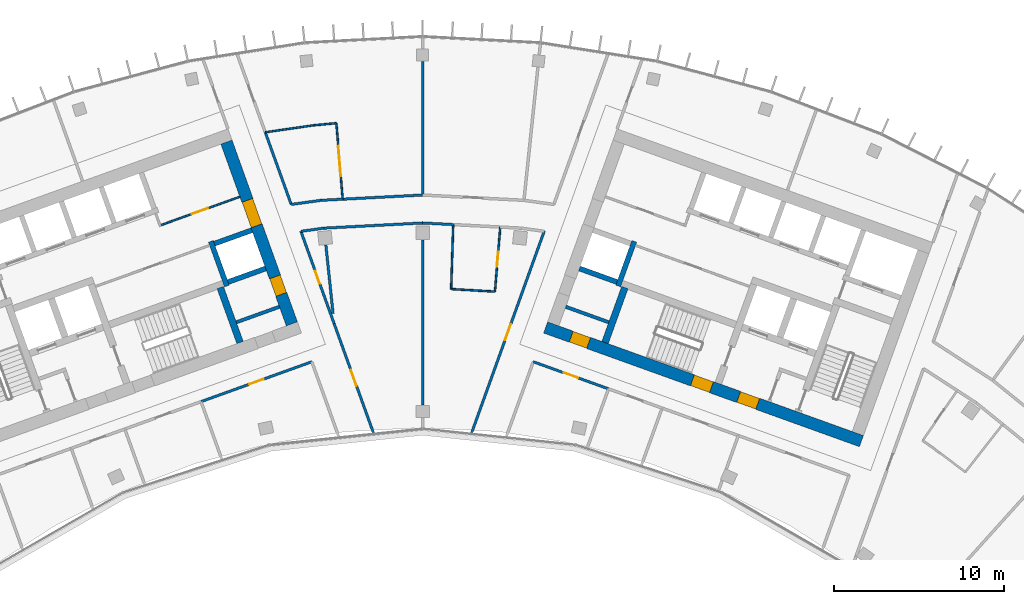
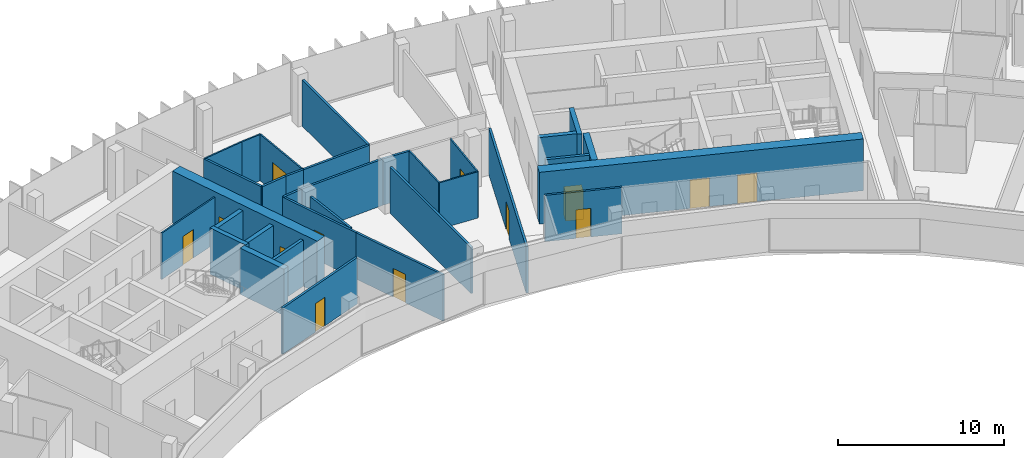
# One storey, part 15 of 19: 33 walls, 13 doors, 13 openings.
"""IFC4 building model written with IfcOpenShell, lengths in metres."""

from ifc_helpers import new_model, si_unit, direction, frame, frame_2d, origin, place, context, subcontext, project, spatial, rectangle, extrude, material, layer, layer_set, type_object, element, fill, save


model = new_model("IFC4")

# Units and contexts
model_context = context("Model", 3, precision=1e-05, world=origin(), true_north=direction((0.0, 1.0)))
body_context = subcontext(model_context, "Body", "Model", "MODEL_VIEW")
ifc_project = project(units=[si_unit("LENGTHUNIT", "METRE"), si_unit("AREAUNIT", "SQUARE_METRE"), si_unit("VOLUMEUNIT", "CUBIC_METRE"), si_unit("PLANEANGLEUNIT", "RADIAN"), si_unit("MASSUNIT", "GRAM", prefix="KILO")], contexts=[model_context])

# Site, building, storey
site_placement = place(None, origin())
site = spatial("IfcSite", under=ifc_project, at=site_placement, CompositionType="ELEMENT")
building_placement = place(site_placement, origin())
building = spatial("IfcBuilding", under=site, at=building_placement, Name="Stone Belt Terrace Tower", CompositionType="ELEMENT")
storey_placement = place(building_placement, frame((0.0, 0.0, 303.60009765625)))
storey = spatial("IfcBuildingStorey", under=building, at=storey_placement, Name="L74", CompositionType="ELEMENT", Elevation=303.60009765625)

# Wall, opening, door
ifc_material_1 = material(Name="Plasterboard partition")
ifc_layer_1 = layer(ifc_material_1, 0.10009765625)
ifc_layer_set_1 = layer_set([ifc_layer_1], Name="Core partition 100")
wall_type_1 = type_object("IfcWallType", Name="Core partition 100", PredefinedType="PARTITIONING", material=ifc_layer_set_1)
wall_1_placement = place(storey_placement, frame((-15.43798828125, 55.447998046875, 0.0), z_axis=(0.0, 0.0, 1.0), x_axis=(0.940914445113, 0.338644366522, 0.0)))
wall_1 = element("IfcWall", 1, at=wall_1_placement, inside=storey, type_object=wall_type_1, Name="Core A wall", PredefinedType="PARTITIONING", context=body_context, shape_type="SweptSolid", body=[
    extrude(rectangle(XDim=4.949951171875, YDim=0.10009765625, at=frame_2d((2.47509765625, 0.0))), origin(), (0.0, 0.0, 1.0), 3.39990234375),
])
opening_1_placement = place(wall_1_placement, frame((1.949951171875, 0.0, 0.0)))
opening_1 = element("IfcOpeningElement", 2, at=opening_1_placement, cuts=wall_1, Name="Opening L74-C01", PredefinedType="OPENING", context=body_context, shape_type="SweptSolid", body=[
    extrude(rectangle(XDim=1.0, YDim=2.10009765625, at=frame_2d((0.5, 1.050048828125))), frame((0.0, 0.06005859375, 0.0), z_axis=(0.0, -1.0, 0.0), x_axis=(1.0, 0.0, 0.0)), (0.0, 0.0, 1.0), 0.1201171875),
])
ifc_material_2 = material(Name="Timber door leaf", Category="wood")
door_type_1 = type_object("IfcDoorType", Name="Core room door 1000", OperationType="SINGLE_SWING_LEFT", PredefinedType="DOOR", material=ifc_material_2)
door_1_placement = place(opening_1_placement, origin())
door_1 = element("IfcDoor", 3, at=door_1_placement, inside=storey, type_object=door_type_1, Name="Door to Plant room core A", OperationType="SINGLE_SWING_RIGHT", OverallHeight=2.10009765625, OverallWidth=1.0, PredefinedType="DOOR", context=body_context, shape_type="SweptSolid", body=[
    extrude(rectangle(XDim=1.0, YDim=2.10009765625, at=frame_2d((0.5, 1.050048828125))), frame((0.0, 0.02490234375, 0.0), z_axis=(0.0, -1.0, 0.0), x_axis=(1.0, 0.0, 0.0)), (0.0, 0.0, 1.0), 0.050048828125),
])
fill(opening_1, door_1)

# Wall, openings, doors
ifc_material_3 = material(Name="Concrete B60", Category="concrete")
ifc_layer_2 = layer(ifc_material_3, 0.699951171875)
ifc_layer_set_2 = layer_set([ifc_layer_2], Name="Core wall 700 B60")
wall_type_2 = type_object("IfcWallType", Name="Core wall 700 B60", PredefinedType="SHEAR", material=ifc_layer_set_2)
wall_2_placement = place(storey_placement, frame((-7.70849609375, 49.621337890625, 0.0), z_axis=(0.0, 0.0, 1.0), x_axis=(-0.338606471282, 0.940928083121, 0.0)))
wall_2 = element("IfcWall", 4, at=wall_2_placement, inside=storey, type_object=wall_type_2, Name="Core A wall end_b L74", PredefinedType="SHEAR", context=body_context, shape_type="SweptSolid", body=[
    extrude(rectangle(XDim=11.39990234375, YDim=0.699951171875, at=frame_2d((5.699951171875, 0.0))), origin(), (0.0, 0.0, 1.0), 3.7998046875),
])
opening_2_placement = place(wall_2_placement, frame((6.14990234375, 0.0, 0.0)))
opening_2 = element("IfcOpeningElement", 5, at=opening_2_placement, cuts=wall_2, Name="Opening L74-C04", PredefinedType="OPENING", context=body_context, shape_type="SweptSolid", body=[
    extrude(rectangle(XDim=1.60009765625, YDim=2.10009765625, at=frame_2d((0.800048828125, 1.050048828125))), frame((0.0, 0.35986328125, 0.0), z_axis=(0.0, -1.0, 0.0), x_axis=(1.0, 0.0, 0.0)), (0.0, 0.0, 1.0), 0.719970703125),
])
opening_3_placement = place(wall_2_placement, frame((1.85009765625, 0.0, 0.0)))
opening_3 = element("IfcOpeningElement", 6, at=opening_3_placement, cuts=wall_2, Name="Opening L74-C10", PredefinedType="OPENING", context=body_context, shape_type="SweptSolid", body=[
    extrude(rectangle(XDim=1.10009765625, YDim=2.10009765625, at=frame_2d((0.550048828125, 1.050048828125))), frame((0.0, 0.35986328125, 0.0), z_axis=(0.0, -1.0, 0.0), x_axis=(1.0, 0.0, 0.0)), (0.0, 0.0, 1.0), 0.719970703125),
])
door_type_2 = type_object("IfcDoorType", Name="Core room door 1100", OperationType="SINGLE_SWING_LEFT", PredefinedType="DOOR", material=ifc_material_2)
door_2_placement = place(opening_3_placement, origin())
door_2 = element("IfcDoor", 7, at=door_2_placement, inside=storey, type_object=door_type_2, Name="Door to Accessible WC core A", OperationType="SINGLE_SWING_LEFT", OverallHeight=2.10009765625, OverallWidth=1.10009765625, PredefinedType="DOOR", context=body_context, shape_type="SweptSolid", body=[
    extrude(rectangle(XDim=1.10009765625, YDim=2.10009765625, at=frame_2d((0.550048828125, 1.050048828125))), frame((0.0, 0.330078125, 0.0), z_axis=(0.0, -1.0, 0.0), x_axis=(1.0, 0.0, 0.0)), (0.0, 0.0, 1.0), 0.659912109375),
])
fill(opening_3, door_2)
ifc_material_4 = material(Name="Glazed aluminium door leaf", Category="aluminium")
door_type_3 = type_object("IfcDoorType", Name="Lift lobby entrance door 1600", OperationType="DOUBLE_DOOR_SINGLE_SWING", PredefinedType="DOOR", material=ifc_material_4)
door_3_placement = place(opening_2_placement, origin())
door_3 = element("IfcDoor", 8, at=door_3_placement, inside=storey, type_object=door_type_3, Name="Lift lobby entrance door core A", OperationType="DOUBLE_DOOR_SINGLE_SWING", OverallHeight=2.10009765625, OverallWidth=1.60009765625, PredefinedType="DOOR", context=body_context, shape_type="SweptSolid", body=[
    extrude(rectangle(XDim=1.60009765625, YDim=2.10009765625, at=frame_2d((0.800048828125, 1.050048828125))), frame((0.0, 0.330078125, 0.0), z_axis=(0.0, -1.0, 0.0), x_axis=(1.0, 0.0, 0.0)), (0.0, 0.0, 1.0), 0.659912109375),
])
fill(opening_2, door_3)

wall_3_placement = place(storey_placement, frame((7.260498046875, 49.410400390625, 0.0), z_axis=(0.0, 0.0, 1.0), x_axis=(0.940925130461, -0.338614676094, 0.0)))
wall_3 = element("IfcWall", 9, at=wall_3_placement, inside=storey, type_object=wall_type_2, Name="Core B wall concave L74", PredefinedType="SHEAR", context=body_context, shape_type="SweptSolid", body=[
    extrude(rectangle(XDim=19.800048828125, YDim=0.699951171875, at=frame_2d((9.89990234375, 0.0))), origin(), (0.0, 0.0, 1.0), 3.7998046875),
])
opening_4_placement = place(wall_3_placement, frame((12.10009765625, 0.0, 0.0)))
opening_4 = element("IfcOpeningElement", 10, at=opening_4_placement, cuts=wall_3, Name="Opening L74-C18", PredefinedType="OPENING", context=body_context, shape_type="SweptSolid", body=[
    extrude(rectangle(XDim=1.199951171875, YDim=2.10009765625, at=frame_2d((0.60009765625, 1.050048828125))), frame((0.0, 0.35986328125, 0.0), z_axis=(0.0, -1.0, 0.0), x_axis=(1.0, 0.0, 0.0)), (0.0, 0.0, 1.0), 0.719970703125),
])
opening_5_placement = place(wall_3_placement, frame((9.2001953125, 0.0, 0.0)))
opening_5 = element("IfcOpeningElement", 11, at=opening_5_placement, cuts=wall_3, Name="Opening L74-C20", PredefinedType="OPENING", context=body_context, shape_type="SweptSolid", body=[
    extrude(rectangle(XDim=1.199951171875, YDim=2.10009765625, at=frame_2d((0.60009765625, 1.050048828125))), frame((0.0, 0.35986328125, 0.0), z_axis=(0.0, -1.0, 0.0), x_axis=(1.0, 0.0, 0.0)), (0.0, 0.0, 1.0), 0.719970703125),
])
opening_6_placement = place(wall_3_placement, frame((1.60009765625, 0.0, 0.0)))
opening_6 = element("IfcOpeningElement", 12, at=opening_6_placement, cuts=wall_3, Name="Opening L74-C22", PredefinedType="OPENING", context=body_context, shape_type="SweptSolid", body=[
    extrude(rectangle(XDim=1.10009765625, YDim=2.10009765625, at=frame_2d((0.550048828125, 1.050048828125))), frame((0.0, 0.35986328125, 0.0), z_axis=(0.0, -1.0, 0.0), x_axis=(1.0, 0.0, 0.0)), (0.0, 0.0, 1.0), 0.719970703125),
])
door_4_placement = place(opening_6_placement, origin())
door_4 = element("IfcDoor", 13, at=door_4_placement, inside=storey, type_object=door_type_2, Name="Door to Pipe riser core B", OperationType="SINGLE_SWING_LEFT", OverallHeight=2.10009765625, OverallWidth=1.10009765625, PredefinedType="DOOR", context=body_context, shape_type="SweptSolid", body=[
    extrude(rectangle(XDim=1.10009765625, YDim=2.10009765625, at=frame_2d((0.550048828125, 1.050048828125))), frame((0.0, 0.330078125, 0.0), z_axis=(0.0, -1.0, 0.0), x_axis=(1.0, 0.0, 0.0)), (0.0, 0.0, 1.0), 0.659912109375),
])
fill(opening_6, door_4)
ifc_material_5 = material(Name="Steel door leaf", Category="steel")
door_type_4 = type_object("IfcDoorType", Name="Fire-fighting lobby door 1200", OperationType="SINGLE_SWING_LEFT", PredefinedType="DOOR", material=ifc_material_5)
door_5_placement = place(opening_4_placement, origin())
door_5 = element("IfcDoor", 14, at=door_5_placement, inside=storey, type_object=door_type_4, Name="Fire-fighting lobby door core B", OperationType="SINGLE_SWING_LEFT", OverallHeight=2.10009765625, OverallWidth=1.199951171875, PredefinedType="DOOR", context=body_context, shape_type="SweptSolid", body=[
    extrude(rectangle(XDim=1.199951171875, YDim=2.10009765625, at=frame_2d((0.60009765625, 1.050048828125))), frame((0.0, 0.330078125, 0.0), z_axis=(0.0, -1.0, 0.0), x_axis=(1.0, 0.0, 0.0)), (0.0, 0.0, 1.0), 0.659912109375),
])
fill(opening_4, door_5)
door_type_5 = type_object("IfcDoorType", Name="Stair door 1200", OperationType="SINGLE_SWING_LEFT", PredefinedType="DOOR", material=ifc_material_5)
door_6_placement = place(opening_5_placement, origin())
door_6 = element("IfcDoor", 15, at=door_6_placement, inside=storey, type_object=door_type_5, Name="Stair 2 exit door core B", OperationType="SINGLE_SWING_RIGHT", OverallHeight=2.10009765625, OverallWidth=1.199951171875, PredefinedType="DOOR", context=body_context, shape_type="SweptSolid", body=[
    extrude(rectangle(XDim=1.199951171875, YDim=2.10009765625, at=frame_2d((0.60009765625, 1.050048828125))), frame((0.0, 0.330078125, 0.0), z_axis=(0.0, -1.0, 0.0), x_axis=(1.0, 0.0, 0.0)), (0.0, 0.0, 1.0), 0.659912109375),
])
fill(opening_5, door_6)

# Walls
ifc_material_6 = material(Name="Concrete B80", Category="concrete")
ifc_layer_3 = layer(ifc_material_6, 0.300048828125)
ifc_layer_set_3 = layer_set([ifc_layer_3], Name="Lift shaft wall 300")
wall_type_3 = type_object("IfcWallType", Name="Lift shaft wall 300", PredefinedType="SHEAR", material=ifc_layer_set_3)
wall_4_placement = place(storey_placement, frame((-11.541259765625, 51.85546875, 0.0), z_axis=(0.0, 0.0, 1.0), x_axis=(-0.338660803216, 0.940908529223, 0.0)))
element("IfcWall", 16, at=wall_4_placement, inside=storey, type_object=wall_type_3, Name="Core A wall", PredefinedType="SHEAR", context=body_context, shape_type="SweptSolid", body=[
    extrude(rectangle(XDim=2.800048828125, YDim=0.300048828125, at=frame_2d((1.39990234375, 0.0))), origin(), (0.0, 0.0, 1.0), 3.39990234375),
])
wall_5_placement = place(storey_placement, frame((-11.468017578125, 52.09423828125, 0.0), z_axis=(0.0, 0.0, 1.0), x_axis=(0.940904627055, 0.338671644496, 0.0)))
element("IfcWall", 17, at=wall_5_placement, inside=storey, type_object=wall_type_3, Name="Core A wall", PredefinedType="SHEAR", context=body_context, shape_type="SweptSolid", body=[
    extrude(rectangle(XDim=2.35009765625, YDim=0.300048828125, at=frame_2d((1.175048828125, 0.0))), origin(), (0.0, 0.0, 1.0), 3.39990234375),
])
wall_6_placement = place(storey_placement, frame((-12.280517578125, 54.3525390625, 0.0), z_axis=(0.0, 0.0, 1.0), x_axis=(0.940925816745, 0.338612769078, 0.0)))
element("IfcWall", 18, at=wall_6_placement, inside=storey, type_object=wall_type_3, Name="Core A wall", PredefinedType="SHEAR", context=body_context, shape_type="SweptSolid", body=[
    extrude(rectangle(XDim=2.349853515625, YDim=0.300048828125, at=frame_2d((1.1748046875, 0.0))), origin(), (0.0, 0.0, 1.0), 3.39990234375),
])
wall_7_placement = place(storey_placement, frame((11.541259765625, 51.85546875, 0.0), z_axis=(0.0, 0.0, 1.0), x_axis=(0.338660803216, 0.940908529223, 0.0)))
element("IfcWall", 19, at=wall_7_placement, inside=storey, type_object=wall_type_3, Name="Core B wall", PredefinedType="SHEAR", context=body_context, shape_type="SweptSolid", body=[
    extrude(rectangle(XDim=2.800048828125, YDim=0.300048828125, at=frame_2d((1.39990234375, 0.0))), origin(), (0.0, 0.0, 1.0), 3.39990234375),
])
wall_8_placement = place(storey_placement, frame((11.468017578125, 52.09423828125, 0.0), z_axis=(0.0, 0.0, 1.0), x_axis=(-0.940904627055, 0.338671644496, 0.0)))
element("IfcWall", 20, at=wall_8_placement, inside=storey, type_object=wall_type_3, Name="Core B wall", PredefinedType="SHEAR", context=body_context, shape_type="SweptSolid", body=[
    extrude(rectangle(XDim=2.35009765625, YDim=0.300048828125, at=frame_2d((1.175048828125, 0.0))), origin(), (0.0, 0.0, 1.0), 3.39990234375),
])
ifc_material_7 = material(Name="Gypsum board partition")
ifc_layer_4 = layer(ifc_material_7, 0.10009765625)
ifc_layer_set_4 = layer_set([ifc_layer_4], Name="PARTITION 100")
wall_type_4 = type_object("IfcWallType", Name="PARTITION 100", PredefinedType="PARTITIONING", material=ifc_layer_set_4)
wall_9_placement = place(storey_placement, frame((1.81103515625, 55.47998046875, 0.0), z_axis=(0.0, 0.0, 1.0), x_axis=(-0.032586497073, -0.999468919081, 0.0)))
element("IfcWall", 21, at=wall_9_placement, inside=storey, type_object=wall_type_4, Name="L74/wall/i099", PredefinedType="PARTITIONING", context=body_context, shape_type="SweptSolid", body=[
    extrude(rectangle(XDim=3.805908203125, YDim=0.10009765625, at=frame_2d((1.90283203125, 0.0))), origin(), (0.0, 0.0, 1.0), 3.39990234375),
])
wall_10_placement = place(storey_placement, frame((1.68701171875, 51.676025390625, 0.0), z_axis=(0.0, 0.0, 1.0), x_axis=(0.998343277732, -0.057538680973, 0.0)))
element("IfcWall", 22, at=wall_10_placement, inside=storey, type_object=wall_type_4, Name="L74/wall/i100", PredefinedType="PARTITIONING", context=body_context, shape_type="SweptSolid", body=[
    extrude(rectangle(XDim=2.58837890625, YDim=0.10009765625, at=frame_2d((1.294189453125, 0.0))), origin(), (0.0, 0.0, 1.0), 3.39990234375),
])

# Wall, opening, door
wall_11_placement = place(storey_placement, frame((4.27099609375, 51.527099609375, 0.0), z_axis=(0.0, 0.0, 1.0), x_axis=(0.082426767344, 0.996597124231, 0.0)))
wall_11 = element("IfcWall", 23, at=wall_11_placement, inside=storey, type_object=wall_type_4, Name="L74/wall/i101", PredefinedType="PARTITIONING", context=body_context, shape_type="SweptSolid", body=[
    extrude(rectangle(XDim=3.82080078125, YDim=0.10009765625, at=frame_2d((1.910400390625, 0.0))), origin(), (0.0, 0.0, 1.0), 3.39990234375),
])
opening_7_placement = place(wall_11_placement, frame((1.46044921875, 0.0, 0.0)))
opening_7 = element("IfcOpeningElement", 24, at=opening_7_placement, cuts=wall_11, Name="Opening D-E5-30", PredefinedType="OPENING", context=body_context, shape_type="SweptSolid", body=[
    extrude(rectangle(XDim=0.89990234375, YDim=2.10009765625, at=frame_2d((0.449951171875, 1.050048828125))), frame((0.0, 0.06005859375, 0.0), z_axis=(0.0, -1.0, 0.0), x_axis=(1.0, 0.0, 0.0)), (0.0, 0.0, 1.0), 0.1201171875),
])
door_type_6 = type_object("IfcDoorType", Name="OFFICE DOOR 900 X 2100", OperationType="NOTDEFINED", PredefinedType="DOOR", material=ifc_material_2)
door_7_placement = place(opening_7_placement, origin())
door_7 = element("IfcDoor", 25, at=door_7_placement, inside=storey, type_object=door_type_6, Name="L74/door/i30", OperationType="SINGLE_SWING_RIGHT", OverallHeight=2.10009765625, OverallWidth=0.89990234375, PredefinedType="DOOR", context=body_context, shape_type="SweptSolid", body=[
    extrude(rectangle(XDim=0.89990234375, YDim=2.10009765625, at=frame_2d((0.449951171875, 1.050048828125))), frame((0.0, 0.02490234375, 0.0), z_axis=(0.0, -1.0, 0.0), x_axis=(1.0, 0.0, 0.0)), (0.0, 0.0, 1.0), 0.050048828125),
])
fill(opening_7, door_7)

wall_12_placement = place(storey_placement, frame((-4.7119140625, 56.97802734375, 0.0), z_axis=(0.0, 0.0, 1.0), x_axis=(-0.082461797713, 0.996594226312, 0.0)))
wall_12 = element("IfcWall", 26, at=wall_12_placement, inside=storey, type_object=wall_type_4, Name="L74/wall/i102", PredefinedType="PARTITIONING", context=body_context, shape_type="SweptSolid", body=[
    extrude(rectangle(XDim=4.500244140625, YDim=0.10009765625, at=frame_2d((2.25, 0.0))), origin(), (0.0, 0.0, 1.0), 3.39990234375),
])
opening_8_placement = place(wall_12_placement, frame((1.35009765625, 0.0, 0.0)))
opening_8 = element("IfcOpeningElement", 27, at=opening_8_placement, cuts=wall_12, Name="Opening D-E5-32", PredefinedType="OPENING", context=body_context, shape_type="SweptSolid", body=[
    extrude(rectangle(XDim=1.800048828125, YDim=2.10009765625, at=frame_2d((0.89990234375, 1.050048828125))), frame((0.0, 0.06005859375, 0.0), z_axis=(0.0, -1.0, 0.0), x_axis=(1.0, 0.0, 0.0)), (0.0, 0.0, 1.0), 0.1201171875),
])
door_type_7 = type_object("IfcDoorType", Name="DOUBLE DOOR 1800 X 2100", OperationType="DOUBLE_DOOR_SINGLE_SWING", PredefinedType="DOOR", material=ifc_material_2)
door_8_placement = place(opening_8_placement, origin())
door_8 = element("IfcDoor", 28, at=door_8_placement, inside=storey, type_object=door_type_7, Name="L74/door/i32", OperationType="DOUBLE_DOOR_SINGLE_SWING", OverallHeight=2.10009765625, OverallWidth=1.800048828125, PredefinedType="DOOR", context=body_context, shape_type="SweptSolid", body=[
    extrude(rectangle(XDim=1.800048828125, YDim=2.10009765625, at=frame_2d((0.89990234375, 1.050048828125))), frame((0.0, 0.02490234375, 0.0), z_axis=(0.0, -1.0, 0.0), x_axis=(1.0, 0.0, 0.0)), (0.0, 0.0, 1.0), 0.050048828125),
])
fill(opening_8, door_8)

# Walls
wall_13_placement = place(storey_placement, frame((-5.0830078125, 61.462890625, 0.0), z_axis=(0.0, 0.0, 1.0), x_axis=(-0.995630602558, -0.093379351305, 0.0)))
element("IfcWall", 29, at=wall_13_placement, inside=storey, type_object=wall_type_4, Name="L74/wall/i103", PredefinedType="PARTITIONING", context=body_context, shape_type="SweptSolid", body=[
    extrude(rectangle(XDim=1.3701171875, YDim=0.10009765625, at=frame_2d((0.68505859375, 0.0))), origin(), (0.0, 0.0, 1.0), 3.39990234375),
])
wall_14_placement = place(storey_placement, frame((-6.447021484375, 61.3349609375, 0.0), z_axis=(0.0, 0.0, 1.0), x_axis=(-0.989735062647, -0.142914330167, 0.0)))
element("IfcWall", 30, at=wall_14_placement, inside=storey, type_object=wall_type_4, Name="L74/wall/i104", PredefinedType="PARTITIONING", context=body_context, shape_type="SweptSolid", body=[
    extrude(rectangle(XDim=2.861328125, YDim=0.10009765625, at=frame_2d((1.4306640625, 0.0))), origin(), (0.0, 0.0, 1.0), 3.39990234375),
])

# Wall, opening, door
ifc_layer_5 = layer(ifc_material_7, 0.14990234375)
ifc_layer_set_5 = layer_set([ifc_layer_5], Name="PARTITION 150 EI 60")
wall_type_5 = type_object("IfcWallType", Name="PARTITION 150 EI 60", PredefinedType="PARTITIONING", material=ifc_layer_set_5)
wall_15_placement = place(storey_placement, frame((-7.177978515625, 55.089111328125, 0.0), z_axis=(0.0, 0.0, 1.0), x_axis=(0.338629980572, -0.940919622634, 0.0)))
wall_15 = element("IfcWall", 31, at=wall_15_placement, inside=storey, type_object=wall_type_5, Name="L74/wall/i011", PredefinedType="PARTITIONING", context=body_context, shape_type="SweptSolid", body=[
    extrude(rectangle(XDim=5.796630859375, YDim=0.14990234375, at=frame_2d((2.8984375, 0.0))), origin(), (0.0, 0.0, 1.0), 3.39990234375),
])
opening_9_placement = place(wall_15_placement, frame((2.498291015625, 0.0, 0.0)))
opening_9 = element("IfcOpeningElement", 32, at=opening_9_placement, cuts=wall_15, Name="Opening D-E5-27", PredefinedType="OPENING", context=body_context, shape_type="SweptSolid", body=[
    extrude(rectangle(XDim=0.800048828125, YDim=2.10009765625, at=frame_2d((0.39990234375, 1.050048828125))), frame((0.0, 0.0849609375, 0.0), z_axis=(0.0, -1.0, 0.0), x_axis=(1.0, 0.0, 0.0)), (0.0, 0.0, 1.0), 0.169921875),
])
door_type_8 = type_object("IfcDoorType", Name="STORE DOOR 800 X 2100", OperationType="NOTDEFINED", PredefinedType="DOOR", material=ifc_material_2)
door_9_placement = place(opening_9_placement, origin())
door_9 = element("IfcDoor", 33, at=door_9_placement, inside=storey, type_object=door_type_8, Name="L74/door/i27", OperationType="SINGLE_SWING_LEFT", OverallHeight=2.10009765625, OverallWidth=0.800048828125, PredefinedType="DOOR", context=body_context, shape_type="SweptSolid", body=[
    extrude(rectangle(XDim=0.800048828125, YDim=2.10009765625, at=frame_2d((0.39990234375, 1.050048828125))), frame((0.0, 0.02490234375, 0.0), z_axis=(0.0, -1.0, 0.0), x_axis=(1.0, 0.0, 0.0)), (0.0, 0.0, 1.0), 0.050048828125),
])
fill(opening_9, door_9)

wall_16_placement = place(storey_placement, frame((-5.22509765625, 49.6630859375, 0.0), z_axis=(0.0, 0.0, 1.0), x_axis=(0.338558474785, -0.940945353966, 0.0)))
wall_16 = element("IfcWall", 34, at=wall_16_placement, inside=storey, type_object=wall_type_5, Name="L74/wall/i012", PredefinedType="PARTITIONING", context=body_context, shape_type="SweptSolid", body=[
    extrude(rectangle(XDim=6.873779296875, YDim=0.14990234375, at=frame_2d((3.43701171875, 0.0))), origin(), (0.0, 0.0, 1.0), 3.39990234375),
])
opening_10_placement = place(wall_16_placement, frame((2.936767578125, 0.0, 0.0)))
opening_10 = element("IfcOpeningElement", 35, at=opening_10_placement, cuts=wall_16, Name="Opening D-E5-28", PredefinedType="OPENING", context=body_context, shape_type="SweptSolid", body=[
    extrude(rectangle(XDim=1.0, YDim=2.10009765625, at=frame_2d((0.5, 1.050048828125))), frame((0.0, 0.0849609375, 0.0), z_axis=(0.0, -1.0, 0.0), x_axis=(1.0, 0.0, 0.0)), (0.0, 0.0, 1.0), 0.169921875),
])
ifc_material_8 = material(Name="Timber fire door leaf", Category="wood")
door_type_9 = type_object("IfcDoorType", Name="TENANCY ENTRANCE DOOR 1000 X 2100", OperationType="NOTDEFINED", PredefinedType="DOOR", material=ifc_material_8)
door_10_placement = place(opening_10_placement, origin())
door_10 = element("IfcDoor", 36, at=door_10_placement, inside=storey, type_object=door_type_9, Name="L74/door/i28", OperationType="SINGLE_SWING_RIGHT", OverallHeight=2.10009765625, OverallWidth=1.0, PredefinedType="DOOR", context=body_context, shape_type="SweptSolid", body=[
    extrude(rectangle(XDim=1.0, YDim=2.10009765625, at=frame_2d((0.5, 1.050048828125))), frame((0.0, 0.02490234375, 0.0), z_axis=(0.0, -1.0, 0.0), x_axis=(1.0, 0.0, 0.0)), (0.0, 0.0, 1.0), 0.050048828125),
])
fill(opening_10, door_10)

# Wall
wall_17_placement = place(storey_placement, frame((-9.281005859375, 60.931884765625, 0.0), z_axis=(0.0, 0.0, 1.0), x_axis=(0.338616542034, -0.940924458956, 0.0)))
element("IfcWall", 37, at=wall_17_placement, inside=storey, type_object=wall_type_5, Name="L74/wall/i014", PredefinedType="PARTITIONING", context=body_context, shape_type="SweptSolid", body=[
    extrude(rectangle(XDim=4.535888671875, YDim=0.14990234375, at=frame_2d((2.26806640625, 0.0))), origin(), (0.0, 0.0, 1.0), 3.39990234375),
])

# Wall, opening, door
wall_18_placement = place(storey_placement, frame((-6.532958984375, 47.387939453125, 0.0), z_axis=(0.0, 0.0, 1.0), x_axis=(-0.940934873565, -0.338587601233, 0.0)))
wall_18 = element("IfcWall", 38, at=wall_18_placement, inside=storey, type_object=wall_type_5, Name="L74/wall/i018", PredefinedType="PARTITIONING", context=body_context, shape_type="SweptSolid", body=[
    extrude(rectangle(XDim=6.949462890625, YDim=0.14990234375, at=frame_2d((3.474609375, 0.0))), origin(), (0.0, 0.0, 1.0), 3.39990234375),
])
opening_11_placement = place(wall_18_placement, frame((3.024658203125, 0.0, 0.0)))
opening_11 = element("IfcOpeningElement", 39, at=opening_11_placement, cuts=wall_18, Name="Opening D-E5-04", PredefinedType="OPENING", context=body_context, shape_type="SweptSolid", body=[
    extrude(rectangle(XDim=0.89990234375, YDim=2.10009765625, at=frame_2d((0.449951171875, 1.050048828125))), frame((0.0, 0.0849609375, 0.0), z_axis=(0.0, -1.0, 0.0), x_axis=(1.0, 0.0, 0.0)), (0.0, 0.0, 1.0), 0.169921875),
])
door_11_placement = place(opening_11_placement, origin())
door_11 = element("IfcDoor", 40, at=door_11_placement, inside=storey, type_object=door_type_6, Name="L74/door/i04", OperationType="SINGLE_SWING_RIGHT", OverallHeight=2.10009765625, OverallWidth=0.89990234375, PredefinedType="DOOR", context=body_context, shape_type="SweptSolid", body=[
    extrude(rectangle(XDim=0.89990234375, YDim=2.10009765625, at=frame_2d((0.449951171875, 1.050048828125))), frame((0.0, 0.02490234375, 0.0), z_axis=(0.0, -1.0, 0.0), x_axis=(1.0, 0.0, 0.0)), (0.0, 0.0, 1.0), 0.050048828125),
])
fill(opening_11, door_11)

wall_19_placement = place(storey_placement, frame((2.89794921875, 43.1953125, 0.0), z_axis=(0.0, 0.0, 1.0), x_axis=(0.338597725617, 0.940931230328, 0.0)))
wall_19 = element("IfcWall", 41, at=wall_19_placement, inside=storey, type_object=wall_type_5, Name="L74/wall/i025", PredefinedType="PARTITIONING", context=body_context, shape_type="SweptSolid", body=[
    extrude(rectangle(XDim=12.640380859375, YDim=0.14990234375, at=frame_2d((6.3203125, 0.0))), origin(), (0.0, 0.0, 1.0), 3.39990234375),
])
opening_12_placement = place(wall_19_placement, frame((5.820068359375, 0.0, 0.0)))
opening_12 = element("IfcOpeningElement", 42, at=opening_12_placement, cuts=wall_19, Name="Opening D-E5-29", PredefinedType="OPENING", context=body_context, shape_type="SweptSolid", body=[
    extrude(rectangle(XDim=1.0, YDim=2.10009765625, at=frame_2d((0.5, 1.050048828125))), frame((0.0, 0.0849609375, 0.0), z_axis=(0.0, -1.0, 0.0), x_axis=(1.0, 0.0, 0.0)), (0.0, 0.0, 1.0), 0.169921875),
])
door_12_placement = place(opening_12_placement, origin())
door_12 = element("IfcDoor", 43, at=door_12_placement, inside=storey, type_object=door_type_9, Name="L74/door/i29", OperationType="SINGLE_SWING_LEFT", OverallHeight=2.10009765625, OverallWidth=1.0, PredefinedType="DOOR", context=body_context, shape_type="SweptSolid", body=[
    extrude(rectangle(XDim=1.0, YDim=2.10009765625, at=frame_2d((0.5, 1.050048828125))), frame((0.0, 0.02490234375, 0.0), z_axis=(0.0, -1.0, 0.0), x_axis=(1.0, 0.0, 0.0)), (0.0, 0.0, 1.0), 0.050048828125),
])
fill(opening_12, door_12)

wall_20_placement = place(storey_placement, frame((10.97607421875, 45.7890625, 0.0), z_axis=(0.0, 0.0, 1.0), x_axis=(-0.94093090438, 0.338598631396, 0.0)))
wall_20 = element("IfcWall", 44, at=wall_20_placement, inside=storey, type_object=wall_type_5, Name="L74/wall/i033", PredefinedType="PARTITIONING", context=body_context, shape_type="SweptSolid", body=[
    extrude(rectangle(XDim=4.721923828125, YDim=0.14990234375, at=frame_2d((2.36083984375, 0.0))), origin(), (0.0, 0.0, 1.0), 3.39990234375),
])
opening_13_placement = place(wall_20_placement, frame((1.910888671875, 0.0, 0.0)))
opening_13 = element("IfcOpeningElement", 45, at=opening_13_placement, cuts=wall_20, Name="Opening D-E5-07", PredefinedType="OPENING", context=body_context, shape_type="SweptSolid", body=[
    extrude(rectangle(XDim=0.89990234375, YDim=2.10009765625, at=frame_2d((0.449951171875, 1.050048828125))), frame((0.0, 0.0849609375, 0.0), z_axis=(0.0, -1.0, 0.0), x_axis=(1.0, 0.0, 0.0)), (0.0, 0.0, 1.0), 0.169921875),
])
door_13_placement = place(opening_13_placement, origin())
door_13 = element("IfcDoor", 46, at=door_13_placement, inside=storey, type_object=door_type_6, Name="L74/door/i07", OperationType="SINGLE_SWING_RIGHT", OverallHeight=2.10009765625, OverallWidth=0.89990234375, PredefinedType="DOOR", context=body_context, shape_type="SweptSolid", body=[
    extrude(rectangle(XDim=0.89990234375, YDim=2.10009765625, at=frame_2d((0.449951171875, 1.050048828125))), frame((0.0, 0.02490234375, 0.0), z_axis=(0.0, -1.0, 0.0), x_axis=(1.0, 0.0, 0.0)), (0.0, 0.0, 1.0), 0.050048828125),
])
fill(opening_13, door_13)

# Walls
wall_21_placement = place(storey_placement, frame((-5.80908203125, 55.27099609375, 0.0), z_axis=(0.0, 0.0, 1.0), x_axis=(-0.990675556397, -0.136242217972, 0.0)))
element("IfcWall", 47, at=wall_21_placement, inside=storey, type_object=wall_type_5, Name="L74/wall/i085", PredefinedType="PARTITIONING", context=body_context, shape_type="SweptSolid", body=[
    extrude(rectangle(XDim=1.3798828125, YDim=0.14990234375, at=frame_2d((0.68994140625, 0.0))), origin(), (0.0, 0.0, 1.0), 3.39990234375),
])
wall_22_placement = place(storey_placement, frame((0.0, 55.574951171875, 0.0), z_axis=(0.0, 0.0, 1.0), x_axis=(-0.998633897938, -0.052252635241, 0.0)))
element("IfcWall", 48, at=wall_22_placement, inside=storey, type_object=wall_type_5, Name="L74/wall/i086", PredefinedType="PARTITIONING", context=body_context, shape_type="SweptSolid", body=[
    extrude(rectangle(XDim=5.817138671875, YDim=0.14990234375, at=frame_2d((2.90869140625, 0.0))), origin(), (0.0, 0.0, 1.0), 3.39990234375),
])
wall_23_placement = place(storey_placement, frame((1.81689453125, 55.47998046875, 0.0), z_axis=(0.0, 0.0, 1.0), x_axis=(-0.998636669852, 0.052199632434, 0.0)))
element("IfcWall", 49, at=wall_23_placement, inside=storey, type_object=wall_type_5, Name="L74/wall/i087", PredefinedType="PARTITIONING", context=body_context, shape_type="SweptSolid", body=[
    extrude(rectangle(XDim=1.8193359375, YDim=0.14990234375, at=frame_2d((0.90966796875, 0.0))), origin(), (0.0, 0.0, 1.0), 3.39990234375),
])
wall_24_placement = place(storey_placement, frame((-4.718017578125, 56.97802734375, 0.0), z_axis=(0.0, 0.0, 1.0), x_axis=(0.998631641463, 0.052295742363, 0.0)))
element("IfcWall", 50, at=wall_24_placement, inside=storey, type_object=wall_type_5, Name="L74/wall/i091", PredefinedType="PARTITIONING", context=body_context, shape_type="SweptSolid", body=[
    extrude(rectangle(XDim=4.724365234375, YDim=0.14990234375, at=frame_2d((2.3623046875, 0.0))), origin(), (0.0, 0.0, 1.0), 3.39990234375),
])
wall_25_placement = place(storey_placement, frame((-7.7470703125, 56.669921875, 0.0), z_axis=(0.0, 0.0, 1.0), x_axis=(0.990718093798, 0.135932551735, 0.0)))
element("IfcWall", 51, at=wall_25_placement, inside=storey, type_object=wall_type_5, Name="L74/wall/i092", PredefinedType="PARTITIONING", context=body_context, shape_type="SweptSolid", body=[
    extrude(rectangle(XDim=1.78173828125, YDim=0.14990234375, at=frame_2d((0.890869140625, 0.0))), origin(), (0.0, 0.0, 1.0), 3.39990234375),
])
wall_26_placement = place(storey_placement, frame((-5.98193359375, 56.912109375, 0.0), z_axis=(0.0, 0.0, 1.0), x_axis=(0.998628366561, 0.052358241951, 0.0)))
element("IfcWall", 52, at=wall_26_placement, inside=storey, type_object=wall_type_5, Name="L74/wall/i093", PredefinedType="PARTITIONING", context=body_context, shape_type="SweptSolid", body=[
    extrude(rectangle(XDim=1.277587890625, YDim=0.14990234375, at=frame_2d((0.638671875, 0.0))), origin(), (0.0, 0.0, 1.0), 3.39990234375),
])
wall_27_placement = place(storey_placement, frame((-5.703857421875, 54.27099609375, 0.0), z_axis=(0.0, 0.0, 1.0), x_axis=(0.104543798856, -0.994520283413, 0.0)))
element("IfcWall", 53, at=wall_27_placement, inside=storey, type_object=wall_type_5, Name="L74/wall/i096", PredefinedType="PARTITIONING", context=body_context, shape_type="SweptSolid", body=[
    extrude(rectangle(XDim=4.056396484375, YDim=0.14990234375, at=frame_2d((2.0283203125, 0.0))), origin(), (0.0, 0.0, 1.0), 3.39990234375),
])
wall_28_placement = place(storey_placement, frame((0.0, 54.570068359375, 0.0), z_axis=(0.0, 0.0, 1.0), x_axis=(0.0, -1.0, 0.0)))
element("IfcWall", 54, at=wall_28_placement, inside=storey, type_object=wall_type_5, Name="L74/wall/i097", PredefinedType="PARTITIONING", context=body_context, shape_type="SweptSolid", body=[
    extrude(rectangle(XDim=9.7451171875, YDim=0.14990234375, at=frame_2d((4.87255859375, 0.0))), origin(), (0.0, 0.0, 1.0), 3.39990234375),
])
wall_29_placement = place(storey_placement, frame((0.0, 65.10888671875, 0.0), z_axis=(0.0, 0.0, 1.0), x_axis=(0.0, -1.0, 0.0)))
element("IfcWall", 55, at=wall_29_placement, inside=storey, type_object=wall_type_5, Name="L74/wall/i106", PredefinedType="PARTITIONING", context=body_context, shape_type="SweptSolid", body=[
    extrude(rectangle(XDim=7.8837890625, YDim=0.14990234375, at=frame_2d((3.94189453125, 0.0))), origin(), (0.0, 0.0, 1.0), 3.39990234375),
])
ifc_material_9 = material(Name="Concrete masonry block", Category="masonry")
ifc_layer_6 = layer(ifc_material_9, 0.199951171875)
ifc_layer_set_6 = layer_set([ifc_layer_6], Name="Rated lobby wall 200")
wall_type_6 = type_object("IfcWallType", Name="Rated lobby wall 200", PredefinedType="PARTITIONING", material=ifc_layer_set_6)
for number, where, z_axis, x_axis, name in (
    (56, (-10.984619140625, 49.717529296875, 0.0), (0.0, 0.0, 1.0), (0.940920834877, 0.338626612206, 0.0), "Core A wall"),
    (57, (10.984619140625, 49.717529296875, 0.0), (0.0, 0.0, 1.0), (-0.940920834877, 0.338626612206, 0.0), "Core B wall"),
):
    element("IfcWall", number, at=place(storey_placement, frame(where, z_axis=z_axis, x_axis=x_axis)), inside=storey, type_object=wall_type_6, Name=name, PredefinedType="PARTITIONING", context=body_context, shape_type="SweptSolid", body=[
        extrude(rectangle(XDim=2.699951171875, YDim=0.199951171875, at=frame_2d((1.35009765625, 0.0))), origin(), (0.0, 0.0, 1.0), 3.39990234375),
    ])
ifc_layer_7 = layer(ifc_material_6, 0.39990234375)
ifc_layer_set_7 = layer_set([ifc_layer_7], Name="Stair enclosure wall 400")
wall_type_7 = type_object("IfcWallType", Name="Stair enclosure wall 400", PredefinedType="SHEAR", material=ifc_layer_set_7)
for number, where, z_axis, x_axis, name in (
    (58, (-10.766357421875, 48.520751953125, 0.0), (0.0, 0.0, 1.0), (-0.338621735342, 0.94092258999, 0.0), "Core A wall"),
    (59, (10.766357421875, 48.520751953125, 0.0), (0.0, 0.0, 1.0), (0.338621735342, 0.94092258999, 0.0), "Core B wall"),
):
    element("IfcWall", number, at=place(storey_placement, frame(where, z_axis=z_axis, x_axis=x_axis)), inside=storey, type_object=wall_type_7, Name=name, PredefinedType="SHEAR", context=body_context, shape_type="SweptSolid", body=[
        extrude(rectangle(XDim=3.449951171875, YDim=0.39990234375, at=frame_2d((1.72509765625, 0.0))), origin(), (0.0, 0.0, 1.0), 3.39990234375),
    ])

save(model, "model.ifc")
